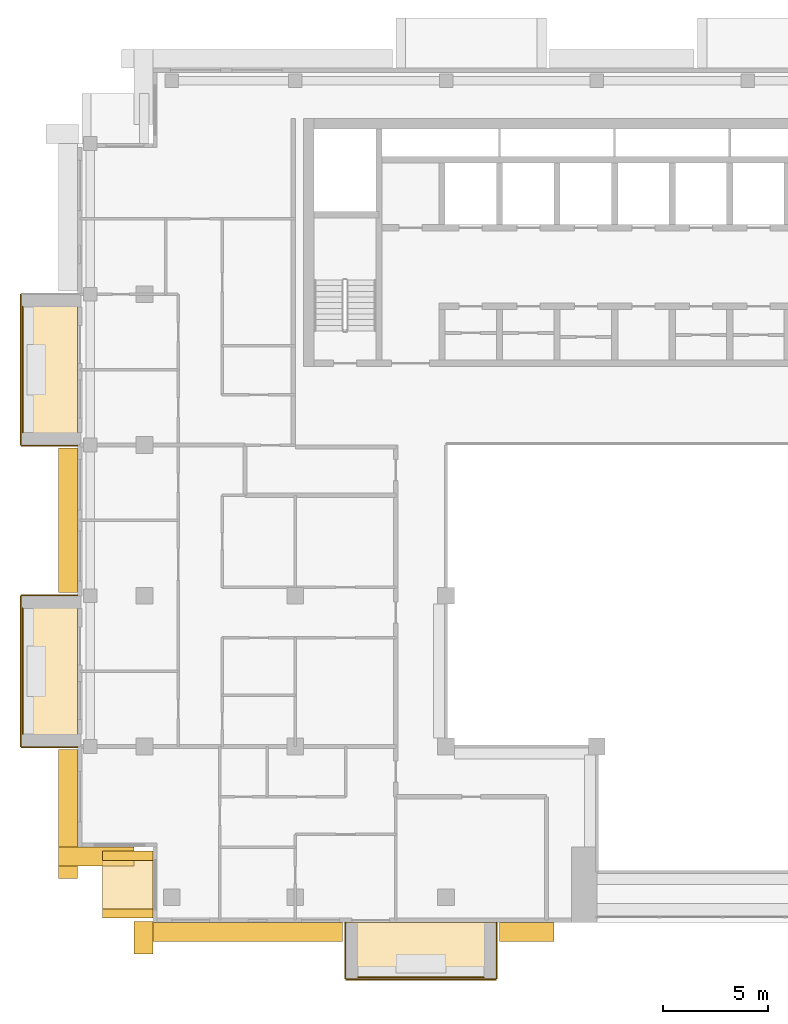
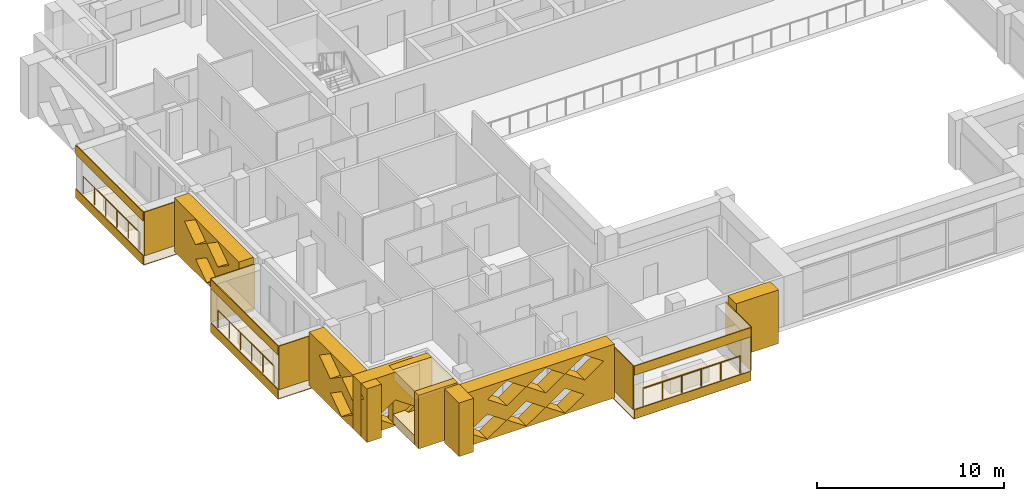
# One storey, part 13 of 19: 24 coverings, 3 railings.
"""IFC4 building model written with IfcOpenShell, lengths in metres."""

from ifc_helpers import new_model, si_unit, direction, frame, origin, origin_2d, place, context, subcontext, project, spatial, polyline, circle, outline, extrude, material, layer, layer_set, type_object, element, save


model = new_model("IFC4")

# Units and contexts
model_context = context("Model", 3, precision=1e-05, world=origin(), true_north=direction((0.0, 1.0)))
body_context = subcontext(model_context, "Body", "Model", "MODEL_VIEW")
ifc_project = project(units=[si_unit("LENGTHUNIT", "METRE"), si_unit("AREAUNIT", "SQUARE_METRE"), si_unit("VOLUMEUNIT", "CUBIC_METRE"), si_unit("PLANEANGLEUNIT", "RADIAN"), si_unit("MASSUNIT", "GRAM", prefix="KILO")], contexts=[model_context])

# Site, building, storey
site_placement = place(None, origin())
site = spatial("IfcSite", under=ifc_project, at=site_placement, CompositionType="ELEMENT")
building_placement = place(site_placement, origin())
building = spatial("IfcBuilding", under=site, at=building_placement, Name="Saffron Iwan Residences", CompositionType="ELEMENT")
storey_placement = place(building_placement, frame((0.0, 0.0, 246.5)))
storey = spatial("IfcBuildingStorey", under=building, at=storey_placement, Name="L66", CompositionType="ELEMENT", Elevation=246.5)

# Railings
ifc_material_1 = material(Name="Stainless steel 316", Category="steel")
railing_type = type_object("IfcRailingType", Name="BALCONY GUARD 1150", PredefinedType="GUARDRAIL", material=ifc_material_1)
for number, where, name in (
    (1, (15.77490234375, 69.0, 0.0), "Balcony guard L66 F8-0"),
    (2, (15.77490234375, 54.60009765625, 0.0), "Balcony guard L66 F8-1"),
):
    element("IfcRailing", number, at=place(storey_placement, frame(where)), inside=storey, type_object=railing_type, Name=name, PredefinedType="GUARDRAIL", context=body_context, shape_type="SweptSolid", body=[
        extrude(circle(Radius=0.02392578125, at=origin_2d()), frame((0.0, 0.0, 1.1259765625), z_axis=(0.0, -1.0, 0.0), x_axis=(1.0, 0.0, 0.0)), (0.0, 0.0, 1.0), 6.0),
        extrude(circle(Radius=0.02099609375, at=origin_2d()), origin(), (0.0, 0.0, 1.0), 1.101806640625),
        extrude(circle(Radius=0.02099609375, at=origin_2d()), frame((0.0, -1.199951171875, 0.0)), (0.0, 0.0, 1.0), 1.101806640625),
        extrude(circle(Radius=0.02099609375, at=origin_2d()), frame((0.0, -2.39990234375, 0.0)), (0.0, 0.0, 1.0), 1.101806640625),
        extrude(circle(Radius=0.02099609375, at=origin_2d()), frame((0.0, -3.60009765625, 0.0)), (0.0, 0.0, 1.0), 1.101806640625),
        extrude(circle(Radius=0.02099609375, at=origin_2d()), frame((0.0, -4.800048828125, 0.0)), (0.0, 0.0, 1.0), 1.101806640625),
        extrude(circle(Radius=0.02099609375, at=origin_2d()), frame((0.0, -6.0, 0.0)), (0.0, 0.0, 1.0), 1.101806640625),
    ])
railing_placement = place(storey_placement, frame((31.800048828125, 36.97509765625, 0.0)))
element("IfcRailing", 3, at=railing_placement, inside=storey, type_object=railing_type, Name="Balcony guard L66 11-0", PredefinedType="GUARDRAIL", context=body_context, shape_type="SweptSolid", body=[
    extrude(circle(Radius=0.02392578125, at=origin_2d()), frame((0.0, 0.0, 1.1259765625), z_axis=(1.0, 0.0, 0.0), x_axis=(0.0, 1.0, 0.0)), (0.0, 0.0, 1.0), 6.0),
    extrude(circle(Radius=0.02099609375, at=origin_2d()), origin(), (0.0, 0.0, 1.0), 1.101806640625),
    extrude(circle(Radius=0.02099609375, at=origin_2d()), frame((1.199951171875, 0.0, 0.0)), (0.0, 0.0, 1.0), 1.101806640625),
    extrude(circle(Radius=0.02099609375, at=origin_2d()), frame((2.39990234375, 0.0, 0.0)), (0.0, 0.0, 1.0), 1.101806640625),
    extrude(circle(Radius=0.02099609375, at=origin_2d()), frame((3.60009765625, 0.0, 0.0)), (0.0, 0.0, 1.0), 1.101806640625),
    extrude(circle(Radius=0.02099609375, at=origin_2d()), frame((4.800048828125, 0.0, 0.0)), (0.0, 0.0, 1.0), 1.101806640625),
    extrude(circle(Radius=0.02099609375, at=origin_2d()), frame((6.0, 0.0, 0.0)), (0.0, 0.0, 1.0), 1.101806640625),
])

# Coverings
ifc_material_2 = material(Name="Precast concrete C40/50 white painted", Category="concrete")
ifc_layer = layer(ifc_material_2, 0.050048828125)
ifc_layer_set = layer_set([ifc_layer], Name="Precast concrete C40/50 white painted")
covering_type_1 = type_object("IfcCoveringType", Name="FRAME SKIN PRECAST WHITE 50", PredefinedType="CLADDING", material=ifc_layer_set)
for number, where, name in (
    (4, (0.0, 0.0, -0.60009765625), "Frame skin slab edge L66 F8-0"),
    (5, (0.0, 0.0, 2.25), "Frame skin fascia L66 F8-0"),
):
    element("IfcCovering", number, at=place(storey_placement, frame(where)), inside=storey, type_object=covering_type_1, Name=name, PredefinedType="CLADDING", context=body_context, shape_type="SweptSolid", body=[
        extrude(outline(polyline([(15.64990234375, 69.60009765625), (15.64990234375, 62.39990234375), (15.699951171875, 62.39990234375), (15.699951171875, 69.60009765625), (15.64990234375, 69.60009765625)])), origin(), (0.0, 0.0, 1.0), 0.60009765625),
    ])
covering_1_placement = place(storey_placement, frame((0.0, 0.0, -0.64990234375)))
element("IfcCovering", 6, at=covering_1_placement, inside=storey, type_object=covering_type_1, Name="Frame skin soffit L66 F8-0", PredefinedType="CLADDING", context=body_context, shape_type="SweptSolid", body=[
    extrude(outline(polyline([(15.699951171875, 69.60009765625), (15.699951171875, 62.39990234375), (18.39990234375, 62.39990234375), (18.39990234375, 69.60009765625), (15.699951171875, 69.60009765625)])), origin(), (0.0, 0.0, 1.0), 0.0498046875),
])
covering_2_placement = place(storey_placement, origin())
element("IfcCovering", 7, at=covering_2_placement, inside=storey, type_object=covering_type_1, Name="Frame skin fin L66 F8-0b", PredefinedType="CLADDING", context=body_context, shape_type="SweptSolid", body=[
    extrude(outline(polyline([(15.699951171875, 62.39990234375), (15.699951171875, 62.35009765625), (18.39990234375, 62.35009765625), (18.39990234375, 62.39990234375), (15.699951171875, 62.39990234375)])), origin(), (0.0, 0.0, 1.0), 2.85009765625),
])
for number, where, name in (
    (8, (0.0, 0.0, -0.60009765625), "Frame skin slab edge L66 F8-1"),
    (9, (0.0, 0.0, 2.25), "Frame skin fascia L66 F8-1"),
):
    element("IfcCovering", number, at=place(storey_placement, frame(where)), inside=storey, type_object=covering_type_1, Name=name, PredefinedType="CLADDING", context=body_context, shape_type="SweptSolid", body=[
        extrude(outline(polyline([(15.64990234375, 55.199951171875), (15.64990234375, 48.0), (15.699951171875, 48.0), (15.699951171875, 55.199951171875), (15.64990234375, 55.199951171875)])), origin(), (0.0, 0.0, 1.0), 0.60009765625),
    ])
covering_3_placement = place(storey_placement, frame((0.0, 0.0, -0.64990234375)))
element("IfcCovering", 10, at=covering_3_placement, inside=storey, type_object=covering_type_1, Name="Frame skin soffit L66 F8-1", PredefinedType="CLADDING", context=body_context, shape_type="SweptSolid", body=[
    extrude(outline(polyline([(15.699951171875, 55.199951171875), (15.699951171875, 48.0), (18.39990234375, 48.0), (18.39990234375, 55.199951171875), (15.699951171875, 55.199951171875)])), origin(), (0.0, 0.0, 1.0), 0.0498046875),
])
covering_4_placement = place(storey_placement, origin())
element("IfcCovering", 11, at=covering_4_placement, inside=storey, type_object=covering_type_1, Name="Frame skin fin L66 F8-1a", PredefinedType="CLADDING", context=body_context, shape_type="SweptSolid", body=[
    extrude(outline(polyline([(15.699951171875, 55.25), (15.699951171875, 55.199951171875), (18.39990234375, 55.199951171875), (18.39990234375, 55.25), (15.699951171875, 55.25)])), origin(), (0.0, 0.0, 1.0), 2.85009765625),
])
covering_5_placement = place(storey_placement, origin())
element("IfcCovering", 12, at=covering_5_placement, inside=storey, type_object=covering_type_1, Name="Frame skin fin L66 F8-1b", PredefinedType="CLADDING", context=body_context, shape_type="SweptSolid", body=[
    extrude(outline(polyline([(15.699951171875, 48.0), (15.699951171875, 47.949951171875), (18.39990234375, 47.949951171875), (18.39990234375, 48.0), (15.699951171875, 48.0)])), origin(), (0.0, 0.0, 1.0), 2.85009765625),
])
for number, where, name in (
    (13, (0.0, 0.0, -0.60009765625), "Frame skin slab edge L66 11-0"),
    (14, (0.0, 0.0, 2.25), "Frame skin fascia L66 11-0"),
):
    element("IfcCovering", number, at=place(storey_placement, frame(where)), inside=storey, type_object=covering_type_1, Name=name, PredefinedType="CLADDING", context=body_context, shape_type="SweptSolid", body=[
        extrude(outline(polyline([(31.199951171875, 36.85009765625), (38.39990234375, 36.85009765625), (38.39990234375, 36.89990234375), (31.199951171875, 36.89990234375), (31.199951171875, 36.85009765625)])), origin(), (0.0, 0.0, 1.0), 0.60009765625),
    ])
covering_6_placement = place(storey_placement, frame((0.0, 0.0, -0.64990234375)))
element("IfcCovering", 15, at=covering_6_placement, inside=storey, type_object=covering_type_1, Name="Frame skin soffit L66 11-0", PredefinedType="CLADDING", context=body_context, shape_type="SweptSolid", body=[
    extrude(outline(polyline([(31.199951171875, 36.89990234375), (38.39990234375, 36.89990234375), (38.39990234375, 39.60009765625), (31.199951171875, 39.60009765625), (31.199951171875, 36.89990234375)])), origin(), (0.0, 0.0, 1.0), 0.0498046875),
])
covering_7_placement = place(storey_placement, origin())
element("IfcCovering", 16, at=covering_7_placement, inside=storey, type_object=covering_type_1, Name="Frame skin fin L66 11-0a", PredefinedType="CLADDING", context=body_context, shape_type="SweptSolid", body=[
    extrude(outline(polyline([(31.14990234375, 36.89990234375), (31.199951171875, 36.89990234375), (31.199951171875, 39.60009765625), (31.14990234375, 39.60009765625), (31.14990234375, 36.89990234375)])), origin(), (0.0, 0.0, 1.0), 2.85009765625),
])
covering_8_placement = place(storey_placement, origin())
element("IfcCovering", 17, at=covering_8_placement, inside=storey, type_object=covering_type_1, Name="Frame skin fin L66 11-0b", PredefinedType="CLADDING", context=body_context, shape_type="SweptSolid", body=[
    extrude(outline(polyline([(38.39990234375, 36.89990234375), (38.449951171875, 36.89990234375), (38.449951171875, 39.60009765625), (38.39990234375, 39.60009765625), (38.39990234375, 36.89990234375)])), origin(), (0.0, 0.0, 1.0), 2.85009765625),
])
ifc_material_3 = material(Name="Precast concrete C40/50", Category="concrete")
covering_type_2 = type_object("IfcCoveringType", Name="OUTER SKIN LATTICE SCREEN", PredefinedType="CLADDING", material=ifc_material_3)
covering_9_placement = place(storey_placement, frame((18.39990234375, 62.25, -0.280029296875), z_axis=(-1.0, 0.0, 0.0), x_axis=(0.0, -1.0, 0.0)))
element("IfcCovering", 18, at=covering_9_placement, inside=storey, type_object=covering_type_2, Name="OUTER SKIN lattice screen L66 F8.1", PredefinedType="CLADDING", context=body_context, shape_type="SweptSolid", body=[
    extrude(outline(polyline([(0.0, 0.0), (6.89990234375, 0.0), (6.89990234375, 3.5), (0.0, 3.5), (0.0, 0.0)]), holes=[polyline([(2.27001953125, 0.875), (3.449951171875, 0.06005859375), (4.6298828125, 0.875), (3.449951171875, 1.68994140625), (2.27001953125, 0.875)]), polyline([(1.070068359375, 2.625), (2.25, 1.81005859375), (3.429931640625, 2.625), (2.25, 3.43994140625), (1.070068359375, 2.625)]), polyline([(3.469970703125, 2.625), (4.64990234375, 1.81005859375), (5.830078125, 2.625), (4.64990234375, 3.43994140625), (3.469970703125, 2.625)])]), origin(), (0.0, 0.0, 1.0), 0.89990234375),
])
covering_10_placement = place(storey_placement, frame((18.39990234375, 47.85009765625, -0.280029296875), z_axis=(-1.0, 0.0, 0.0), x_axis=(0.0, -1.0, 0.0)))
element("IfcCovering", 19, at=covering_10_placement, inside=storey, type_object=covering_type_2, Name="OUTER SKIN lattice screen L66 F8.2", PredefinedType="CLADDING", context=body_context, shape_type="SweptSolid", body=[
    extrude(outline(polyline([(0.0, 0.0), (6.14990234375, 0.0), (6.14990234375, 3.5), (0.0, 3.5), (0.0, 0.0)]), holes=[polyline([(2.27001953125, 0.875), (3.449951171875, 0.06005859375), (4.6298828125, 0.875), (3.449951171875, 1.68994140625), (2.27001953125, 0.875)]), polyline([(1.070068359375, 2.625), (2.25, 1.81005859375), (3.429931640625, 2.625), (2.25, 3.43994140625), (1.070068359375, 2.625)]), polyline([(3.469970703125, 2.625), (4.64990234375, 1.81005859375), (5.830078125, 2.625), (4.64990234375, 3.43994140625), (3.469970703125, 2.625)])]), origin(), (0.0, 0.0, 1.0), 0.89990234375),
])
covering_11_placement = place(storey_placement, frame((17.5, 43.199951171875, -0.280029296875), z_axis=(0.0, -1.0, 0.0), x_axis=(1.0, 0.0, 0.0)))
element("IfcCovering", 20, at=covering_11_placement, inside=storey, type_object=covering_type_2, Name="OUTER SKIN lattice screen L66 F9.0", PredefinedType="CLADDING", context=body_context, shape_type="SweptSolid", body=[
    extrude(outline(polyline([(0.0, 0.0), (3.60009765625, 0.0), (3.60009765625, 3.5), (0.0, 3.5), (0.0, 0.0)]), holes=[polyline([(0.919921875, 0.875), (2.10009765625, 0.06005859375), (3.280029296875, 0.875), (2.10009765625, 1.68994140625), (0.919921875, 0.875)])]), origin(), (0.0, 0.0, 1.0), 0.89990234375),
])
covering_12_placement = place(storey_placement, frame((22.0, 39.64990234375, -0.280029296875), z_axis=(-1.0, 0.0, 0.0), x_axis=(0.0, -1.0, 0.0)))
element("IfcCovering", 21, at=covering_12_placement, inside=storey, type_object=covering_type_2, Name="OUTER SKIN lattice screen L66 F10.0", PredefinedType="CLADDING", context=body_context, shape_type="SweptSolid", body=[
    extrude(outline(polyline([(0.0, 0.0), (1.550048828125, 0.0), (1.550048828125, 3.5), (0.0, 3.5), (0.0, 0.0)])), origin(), (0.0, 0.0, 1.0), 0.89990234375),
])
covering_13_placement = place(storey_placement, frame((21.10009765625, 39.60009765625, -0.280029296875), z_axis=(0.0, -1.0, 0.0), x_axis=(1.0, 0.0, 0.0)))
element("IfcCovering", 22, at=covering_13_placement, inside=storey, type_object=covering_type_2, Name="OUTER SKIN lattice screen L66 F11.0", PredefinedType="CLADDING", context=body_context, shape_type="SweptSolid", body=[
    extrude(outline(polyline([(0.0, 0.0), (9.949951171875, 0.0), (9.949951171875, 3.5), (0.0, 3.5), (0.0, 0.0)]), holes=[polyline([(0.919921875, 0.875), (2.10009765625, 0.06005859375), (3.280029296875, 0.875), (2.10009765625, 1.68994140625), (0.919921875, 0.875)]), polyline([(3.320068359375, 0.875), (4.5, 0.06005859375), (5.679931640625, 0.875), (4.5, 1.68994140625), (3.320068359375, 0.875)]), polyline([(5.719970703125, 0.875), (6.89990234375, 0.06005859375), (8.080078125, 0.875), (6.89990234375, 1.68994140625), (5.719970703125, 0.875)]), polyline([(2.1201171875, 2.625), (3.300048828125, 1.81005859375), (4.47998046875, 2.625), (3.300048828125, 3.43994140625), (2.1201171875, 2.625)]), polyline([(4.52001953125, 2.625), (5.699951171875, 1.81005859375), (6.8798828125, 2.625), (5.699951171875, 3.43994140625), (4.52001953125, 2.625)]), polyline([(6.919921875, 2.625), (8.10009765625, 1.81005859375), (9.280029296875, 2.625), (8.10009765625, 3.43994140625), (6.919921875, 2.625)])]), origin(), (0.0, 0.0, 1.0), 0.900146484375),
])
covering_14_placement = place(storey_placement, frame((38.550048828125, 39.60009765625, -0.280029296875), z_axis=(0.0, -1.0, 0.0), x_axis=(1.0, 0.0, 0.0)))
element("IfcCovering", 23, at=covering_14_placement, inside=storey, type_object=covering_type_2, Name="OUTER SKIN lattice screen L66 F11.1", PredefinedType="CLADDING", context=body_context, shape_type="SweptSolid", body=[
    extrude(outline(polyline([(0.0, 0.0), (2.60009765625, 0.0), (2.60009765625, 3.5), (0.0, 3.5), (0.0, 0.0)])), origin(), (0.0, 0.0, 1.0), 0.900146484375),
])
covering_type_3 = type_object("IfcCoveringType", Name="WHITE SUN FRAME PRECAST", PredefinedType="CLADDING", material=ifc_material_2)
for number, where, z_axis, x_axis, name in (
    (24, (22.0, 43.0, -0.280029296875), (-1.0, 0.0, 0.0), (0.0, -1.0, 0.0), "Sun frame L66 F10 0.2a"),
    (25, (22.0, 40.25, -0.280029296875), (-1.0, 0.0, 0.0), (0.0, -1.0, 0.0), "Sun frame L66 F10 0.2b"),
):
    element("IfcCovering", number, at=place(storey_placement, frame(where, z_axis=z_axis, x_axis=x_axis)), inside=storey, type_object=covering_type_3, Name=name, PredefinedType="CLADDING", context=body_context, shape_type="SweptSolid", body=[
        extrude(outline(polyline([(0.0, 0.0), (0.449951171875, 0.0), (0.449951171875, 3.5), (0.0, 3.5), (0.0, 0.0)])), origin(), (0.0, 0.0, 1.0), 2.39990234375),
    ])
for number, where, z_axis, x_axis, name in (
    (26, (22.0, 42.550048828125, 2.6201171875), (-1.0, 0.0, 0.0), (0.0, -1.0, 0.0), "Sun frame L66 F10 0.2h"),
    (27, (22.0, 42.550048828125, -0.280029296875), (-1.0, 0.0, 0.0), (0.0, -1.0, 0.0), "Sun frame L66 F10 0.2s"),
):
    element("IfcCovering", number, at=place(storey_placement, frame(where, z_axis=z_axis, x_axis=x_axis)), inside=storey, type_object=covering_type_3, Name=name, PredefinedType="CLADDING", context=body_context, shape_type="SweptSolid", body=[
        extrude(outline(polyline([(0.0, 0.0), (2.300048828125, 0.0), (2.300048828125, 0.60009765625), (0.0, 0.60009765625), (0.0, 0.0)])), origin(), (0.0, 0.0, 1.0), 2.39990234375),
    ])

save(model, "model.ifc")
